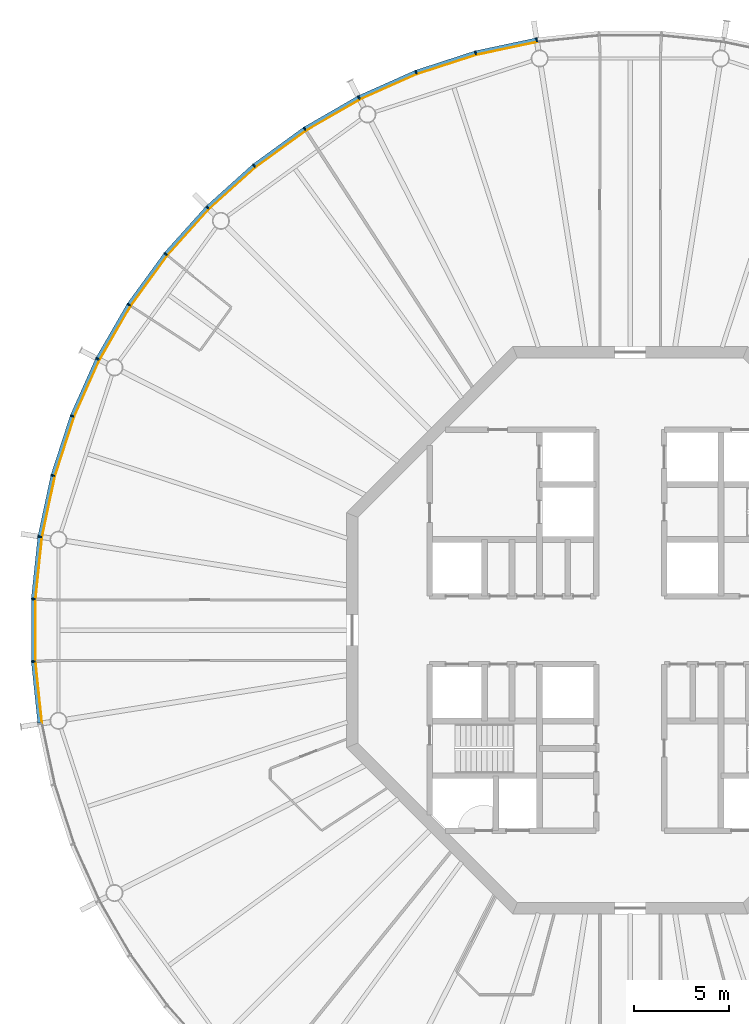
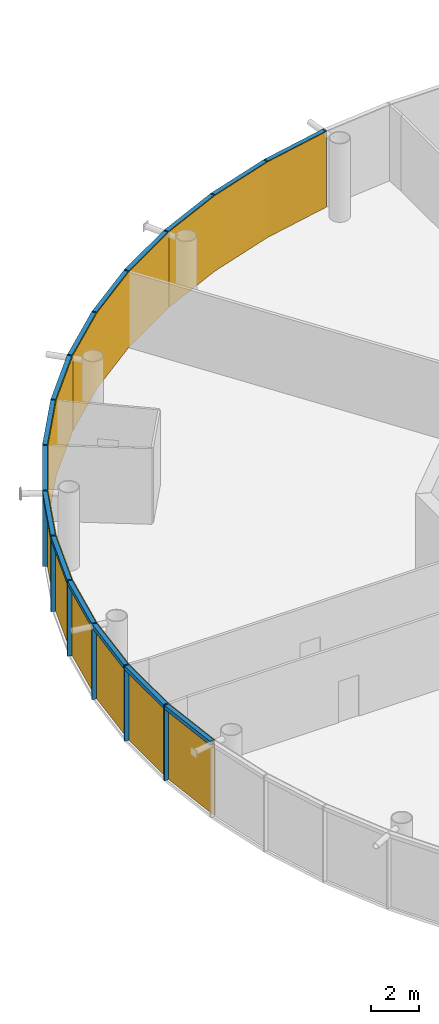
# One storey, part 16 of 19: 30 members, 5 curtain walls.
"""IFC4 building model written with IfcOpenShell, lengths in metres."""

from ifc_helpers import new_model, si_unit, direction, frame, origin, origin_2d, place, context, subcontext, project, spatial, polyline, rectangle, outline, extrude, material, layer, layer_set, material_profile, profile_set, type_object, element, aggregate, save


model = new_model("IFC4")

# Units and contexts
model_context = context("Model", 3, precision=1e-05, world=origin(), true_north=direction((0.0, 1.0)))
body_context = subcontext(model_context, "Body", "Model", "MODEL_VIEW")
ifc_project = project(units=[si_unit("LENGTHUNIT", "METRE"), si_unit("AREAUNIT", "SQUARE_METRE"), si_unit("VOLUMEUNIT", "CUBIC_METRE"), si_unit("PLANEANGLEUNIT", "RADIAN"), si_unit("MASSUNIT", "GRAM", prefix="KILO")], contexts=[model_context])

# Member
ifc_material_1 = material(Name="Anodised aluminium", Category="aluminium")
ifc_material_profile_1 = material_profile(ifc_material_1, rectangle(XDim=0.070068359375, YDim=0.205078125, at=origin_2d()), Name="Mullion 70 x 205 mm anodised aluminium")
ifc_profile_set_1 = profile_set([ifc_material_profile_1], Name="Anodised aluminium")
member_type_1 = type_object("IfcMemberType", Name="Mullion 70 x 205 mm anodised aluminium", PredefinedType="MULLION", material=ifc_profile_set_1)
site_placement = place(None, origin())
building_placement = place(site_placement, origin())
storey_placement = place(building_placement, frame((0.0, 0.0, 368.0)))
member_1_placement = place(storey_placement, frame((85.056396484375, 111.21337890625, 0.0), z_axis=(0.0, 0.0, 1.0), x_axis=(-0.987688340595, -0.15643446504, 0.0)))
member_1 = element("IfcMember", 1, at=member_1_placement, type_object=member_type_1, Name="MULLION L85-15", PredefinedType="MULLION", context=body_context, shape_type="SweptSolid", body=[
    extrude(rectangle(XDim=0.070068359375, YDim=0.205078125, at=origin_2d()), origin(), (0.0, 0.0, 1.0), 3.85009765625),
])

member_2_placement = place(storey_placement, frame((81.820556640625, 110.525634765625, 0.0), z_axis=(0.0, 0.0, 1.0), x_axis=(-0.965925826289, -0.258819045103, 0.0)))
member_2 = element("IfcMember", 2, at=member_2_placement, type_object=member_type_1, Name="MULLION L85-16", PredefinedType="MULLION", context=body_context, shape_type="SweptSolid", body=[
    extrude(rectangle(XDim=0.070068359375, YDim=0.205078125, at=origin_2d()), origin(), (0.0, 0.0, 1.0), 3.85009765625),
])

member_3_placement = place(storey_placement, frame((78.674560546875, 109.50341796875, 0.0), z_axis=(0.0, 0.0, 1.0), x_axis=(-0.933580426497, -0.358367949545, 0.0)))
member_3 = element("IfcMember", 3, at=member_3_placement, type_object=member_type_1, Name="MULLION L85-17", PredefinedType="MULLION", context=body_context, shape_type="SweptSolid", body=[
    extrude(rectangle(XDim=0.070068359375, YDim=0.205078125, at=origin_2d()), origin(), (0.0, 0.0, 1.0), 3.85009765625),
])

member_4_placement = place(storey_placement, frame((75.65283203125, 108.157958984375, 0.0), z_axis=(0.0, 0.0, 1.0), x_axis=(-0.891006524188, -0.45399049974, 0.0)))
member_4 = element("IfcMember", 4, at=member_4_placement, type_object=member_type_1, Name="MULLION L85-18", PredefinedType="MULLION", context=body_context, shape_type="SweptSolid", body=[
    extrude(rectangle(XDim=0.070068359375, YDim=0.205078125, at=origin_2d()), origin(), (0.0, 0.0, 1.0), 3.85009765625),
])

member_5_placement = place(storey_placement, frame((72.7880859375, 106.504150390625, 0.0), z_axis=(0.0, 0.0, 1.0), x_axis=(-0.838670567945, -0.544639035015, 0.0)))
member_5 = element("IfcMember", 5, at=member_5_placement, type_object=member_type_1, Name="MULLION L85-19", PredefinedType="MULLION", context=body_context, shape_type="SweptSolid", body=[
    extrude(rectangle(XDim=0.070068359375, YDim=0.205078125, at=origin_2d()), origin(), (0.0, 0.0, 1.0), 3.85009765625),
])

member_6_placement = place(storey_placement, frame((70.11181640625, 104.559814453125, 0.0), z_axis=(0.0, 0.0, 1.0), x_axis=(-0.777145961457, -0.62932039105, 0.0)))
member_6 = element("IfcMember", 6, at=member_6_placement, type_object=member_type_1, Name="MULLION L85-20", PredefinedType="MULLION", context=body_context, shape_type="SweptSolid", body=[
    extrude(rectangle(XDim=0.070068359375, YDim=0.205078125, at=origin_2d()), origin(), (0.0, 0.0, 1.0), 3.85009765625),
])

member_7_placement = place(storey_placement, frame((67.653564453125, 102.346435546875, 0.0), z_axis=(0.0, 0.0, 1.0), x_axis=(-0.707106781187, -0.707106781187, 0.0)))
member_7 = element("IfcMember", 7, at=member_7_placement, type_object=member_type_1, Name="MULLION L85-21", PredefinedType="MULLION", context=body_context, shape_type="SweptSolid", body=[
    extrude(rectangle(XDim=0.070068359375, YDim=0.205078125, at=origin_2d()), origin(), (0.0, 0.0, 1.0), 3.85009765625),
])

member_8_placement = place(storey_placement, frame((65.440185546875, 99.88818359375, 0.0), z_axis=(0.0, 0.0, 1.0), x_axis=(-0.62932039105, -0.777145961457, 0.0)))
member_8 = element("IfcMember", 8, at=member_8_placement, type_object=member_type_1, Name="MULLION L85-22", PredefinedType="MULLION", context=body_context, shape_type="SweptSolid", body=[
    extrude(rectangle(XDim=0.070068359375, YDim=0.205078125, at=origin_2d()), origin(), (0.0, 0.0, 1.0), 3.85009765625),
])

member_9_placement = place(storey_placement, frame((63.495849609375, 97.2119140625, 0.0), z_axis=(0.0, 0.0, 1.0), x_axis=(-0.544639035015, -0.838670567945, 0.0)))
member_9 = element("IfcMember", 9, at=member_9_placement, type_object=member_type_1, Name="MULLION L85-23", PredefinedType="MULLION", context=body_context, shape_type="SweptSolid", body=[
    extrude(rectangle(XDim=0.070068359375, YDim=0.205078125, at=origin_2d()), origin(), (0.0, 0.0, 1.0), 3.85009765625),
])

member_10_placement = place(storey_placement, frame((61.842041015625, 94.34716796875, 0.0), z_axis=(0.0, 0.0, 1.0), x_axis=(-0.45399049974, -0.891006524188, 0.0)))
member_10 = element("IfcMember", 10, at=member_10_placement, type_object=member_type_1, Name="MULLION L85-24", PredefinedType="MULLION", context=body_context, shape_type="SweptSolid", body=[
    extrude(rectangle(XDim=0.070068359375, YDim=0.205078125, at=origin_2d()), origin(), (0.0, 0.0, 1.0), 3.85009765625),
])

member_11_placement = place(storey_placement, frame((60.49658203125, 91.325439453125, 0.0), z_axis=(0.0, 0.0, 1.0), x_axis=(-0.358367949545, -0.933580426497, 0.0)))
member_11 = element("IfcMember", 11, at=member_11_placement, type_object=member_type_1, Name="MULLION L85-25", PredefinedType="MULLION", context=body_context, shape_type="SweptSolid", body=[
    extrude(rectangle(XDim=0.070068359375, YDim=0.205078125, at=origin_2d()), origin(), (0.0, 0.0, 1.0), 3.85009765625),
])

member_12_placement = place(storey_placement, frame((59.474365234375, 88.179443359375, 0.0), z_axis=(0.0, 0.0, 1.0), x_axis=(-0.258819045103, -0.965925826289, 0.0)))
member_12 = element("IfcMember", 12, at=member_12_placement, type_object=member_type_1, Name="MULLION L85-26", PredefinedType="MULLION", context=body_context, shape_type="SweptSolid", body=[
    extrude(rectangle(XDim=0.070068359375, YDim=0.205078125, at=origin_2d()), origin(), (0.0, 0.0, 1.0), 3.85009765625),
])

member_13_placement = place(storey_placement, frame((58.78662109375, 84.943603515625, 0.0), z_axis=(0.0, 0.0, 1.0), x_axis=(-0.15643446504, -0.987688340595, 0.0)))
member_13 = element("IfcMember", 13, at=member_13_placement, type_object=member_type_1, Name="MULLION L85-27", PredefinedType="MULLION", context=body_context, shape_type="SweptSolid", body=[
    extrude(rectangle(XDim=0.070068359375, YDim=0.205078125, at=origin_2d()), origin(), (0.0, 0.0, 1.0), 3.85009765625),
])

member_14_placement = place(storey_placement, frame((58.44091796875, 81.654052734375, 0.0), z_axis=(0.0, 0.0, 1.0), x_axis=(-0.052335956243, -0.998629534755, 0.0)))
member_14 = element("IfcMember", 14, at=member_14_placement, type_object=member_type_1, Name="MULLION L85-28", PredefinedType="MULLION", context=body_context, shape_type="SweptSolid", body=[
    extrude(rectangle(XDim=0.070068359375, YDim=0.205078125, at=origin_2d()), origin(), (0.0, 0.0, 1.0), 3.85009765625),
])

member_15_placement = place(storey_placement, frame((58.44091796875, 78.345947265625, 0.0), z_axis=(0.0, 0.0, 1.0), x_axis=(0.052335956243, -0.998629534755, 0.0)))
member_15 = element("IfcMember", 15, at=member_15_placement, type_object=member_type_1, Name="MULLION L85-29", PredefinedType="MULLION", context=body_context, shape_type="SweptSolid", body=[
    extrude(rectangle(XDim=0.070068359375, YDim=0.205078125, at=origin_2d()), origin(), (0.0, 0.0, 1.0), 3.85009765625),
])

ifc_material_2 = material(Name="Anodised aluminium", Category="aluminium")
ifc_material_profile_2 = material_profile(ifc_material_2, rectangle(XDim=0.205078125, YDim=0.195068359375, at=origin_2d()), Name="Transom 195 x 205 mm anodised aluminium")
ifc_profile_set_2 = profile_set([ifc_material_profile_2], Name="Anodised aluminium")
member_type_2 = type_object("IfcMemberType", Name="Transom 195 x 205 mm anodised aluminium", PredefinedType="USERDEFINED", material=ifc_profile_set_2)
member_16_placement = place(storey_placement, frame((85.016845703125, 111.205078125, 3.75244140625), z_axis=(-0.978153082647, -0.207885898771, 0.0), x_axis=(0.207885898771, -0.978153082647, 0.0)))
member_16 = element("IfcMember", 16, at=member_16_placement, type_object=member_type_2, Name="TRANSOM L85-15", ObjectType="TRANSOM", PredefinedType="USERDEFINED", context=body_context, shape_type="SweptSolid", body=[
    extrude(rectangle(XDim=0.205078125, YDim=0.195068359375, at=origin_2d()), origin(), (0.0, 0.0, 1.0), 3.227294921875),
])

member_17_placement = place(storey_placement, frame((81.7822265625, 110.513427734375, 3.75244140625), z_axis=(-0.951046855117, -0.309046726844, 0.0), x_axis=(0.309046726844, -0.951046855117, 0.0)))
member_17 = element("IfcMember", 17, at=member_17_placement, type_object=member_type_2, Name="TRANSOM L85-16", ObjectType="TRANSOM", PredefinedType="USERDEFINED", context=body_context, shape_type="SweptSolid", body=[
    extrude(rectangle(XDim=0.205078125, YDim=0.195068359375, at=origin_2d()), origin(), (0.0, 0.0, 1.0), 3.22705078125),
])

member_18_placement = place(storey_placement, frame((78.6376953125, 109.4873046875, 3.75244140625), z_axis=(-0.913521178731, -0.406791170024, 0.0), x_axis=(0.406791170024, -0.913521178731, 0.0)))
member_18 = element("IfcMember", 18, at=member_18_placement, type_object=member_type_2, Name="TRANSOM L85-17", ObjectType="TRANSOM", PredefinedType="USERDEFINED", context=body_context, shape_type="SweptSolid", body=[
    extrude(rectangle(XDim=0.205078125, YDim=0.195068359375, at=origin_2d()), origin(), (0.0, 0.0, 1.0), 3.22705078125),
])

member_19_placement = place(storey_placement, frame((75.61767578125, 108.137939453125, 3.75244140625), z_axis=(-0.866023062494, -0.500004055213, 0.0), x_axis=(0.500004055213, -0.866023062494, 0.0)))
member_19 = element("IfcMember", 19, at=member_19_placement, type_object=member_type_2, Name="TRANSOM L85-18", ObjectType="TRANSOM", PredefinedType="USERDEFINED", context=body_context, shape_type="SweptSolid", body=[
    extrude(rectangle(XDim=0.205078125, YDim=0.195068359375, at=origin_2d()), origin(), (0.0, 0.0, 1.0), 3.22705078125),
])

member_20_placement = place(storey_placement, frame((72.75537109375, 106.48046875, 3.75244140625), z_axis=(-0.809004252048, -0.587802790201, 0.0), x_axis=(0.587802790201, -0.809004252048, 0.0)))
member_20 = element("IfcMember", 20, at=member_20_placement, type_object=member_type_2, Name="TRANSOM L85-19", ObjectType="TRANSOM", PredefinedType="USERDEFINED", context=body_context, shape_type="SweptSolid", body=[
    extrude(rectangle(XDim=0.205078125, YDim=0.195068359375, at=origin_2d()), origin(), (0.0, 0.0, 1.0), 3.227294921875),
])

member_21_placement = place(storey_placement, frame((70.081787109375, 104.532958984375, 3.75244140625), z_axis=(-0.743132370743, -0.669144438484, 0.0), x_axis=(0.669144438484, -0.743132370743, 0.0)))
member_21 = element("IfcMember", 21, at=member_21_placement, type_object=member_type_2, Name="TRANSOM L85-20", ObjectType="TRANSOM", PredefinedType="USERDEFINED", context=body_context, shape_type="SweptSolid", body=[
    extrude(rectangle(XDim=0.205078125, YDim=0.195068359375, at=origin_2d()), origin(), (0.0, 0.0, 1.0), 3.22705078125),
])

member_22_placement = place(storey_placement, frame((67.62646484375, 102.31640625, 3.75244140625), z_axis=(-0.669144438484, -0.743132370743, 0.0), x_axis=(0.743132370743, -0.669144438484, 0.0)))
member_22 = element("IfcMember", 22, at=member_22_placement, type_object=member_type_2, Name="TRANSOM L85-21", ObjectType="TRANSOM", PredefinedType="USERDEFINED", context=body_context, shape_type="SweptSolid", body=[
    extrude(rectangle(XDim=0.205078125, YDim=0.195068359375, at=origin_2d()), origin(), (0.0, 0.0, 1.0), 3.22705078125),
])

member_23_placement = place(storey_placement, frame((65.41650390625, 99.85546875, 3.75244140625), z_axis=(-0.587802790201, -0.809004252048, 0.0), x_axis=(0.809004252048, -0.587802790201, 0.0)))
member_23 = element("IfcMember", 23, at=member_23_placement, type_object=member_type_2, Name="TRANSOM L85-22", ObjectType="TRANSOM", PredefinedType="USERDEFINED", context=body_context, shape_type="SweptSolid", body=[
    extrude(rectangle(XDim=0.205078125, YDim=0.195068359375, at=origin_2d()), origin(), (0.0, 0.0, 1.0), 3.227294921875),
])

member_24_placement = place(storey_placement, frame((63.4755859375, 97.177001953125, 3.75244140625), z_axis=(-0.500004055213, -0.866023062494, 0.0), x_axis=(0.866023062494, -0.500004055213, 0.0)))
member_24 = element("IfcMember", 24, at=member_24_placement, type_object=member_type_2, Name="TRANSOM L85-23", ObjectType="TRANSOM", PredefinedType="USERDEFINED", context=body_context, shape_type="SweptSolid", body=[
    extrude(rectangle(XDim=0.205078125, YDim=0.195068359375, at=origin_2d()), origin(), (0.0, 0.0, 1.0), 3.22705078125),
])

member_25_placement = place(storey_placement, frame((61.825439453125, 94.310302734375, 3.75244140625), z_axis=(-0.406791170024, -0.913521178731, 0.0), x_axis=(0.913521178731, -0.406791170024, 0.0)))
member_25 = element("IfcMember", 25, at=member_25_placement, type_object=member_type_2, Name="TRANSOM L85-24", ObjectType="TRANSOM", PredefinedType="USERDEFINED", context=body_context, shape_type="SweptSolid", body=[
    extrude(rectangle(XDim=0.205078125, YDim=0.195068359375, at=origin_2d()), origin(), (0.0, 0.0, 1.0), 3.22705078125),
])

member_26_placement = place(storey_placement, frame((60.48388671875, 91.286865234375, 3.75244140625), z_axis=(-0.309046726844, -0.951046855117, 0.0), x_axis=(0.951046855117, -0.309046726844, 0.0)))
member_26 = element("IfcMember", 26, at=member_26_placement, type_object=member_type_2, Name="TRANSOM L85-25", ObjectType="TRANSOM", PredefinedType="USERDEFINED", context=body_context, shape_type="SweptSolid", body=[
    extrude(rectangle(XDim=0.205078125, YDim=0.195068359375, at=origin_2d()), origin(), (0.0, 0.0, 1.0), 3.22705078125),
])

member_27_placement = place(storey_placement, frame((59.4658203125, 88.139892578125, 3.75244140625), z_axis=(-0.207885898771, -0.978153082647, 0.0), x_axis=(0.978153082647, -0.207885898771, 0.0)))
member_27 = element("IfcMember", 27, at=member_27_placement, type_object=member_type_2, Name="TRANSOM L85-26", ObjectType="TRANSOM", PredefinedType="USERDEFINED", context=body_context, shape_type="SweptSolid", body=[
    extrude(rectangle(XDim=0.205078125, YDim=0.195068359375, at=origin_2d()), origin(), (0.0, 0.0, 1.0), 3.227294921875),
])

member_28_placement = place(storey_placement, frame((58.7822265625, 84.903564453125, 3.75244140625), z_axis=(-0.104550890115, -0.994519537956, 0.0), x_axis=(0.994519537956, -0.104550890115, 0.0)))
member_28 = element("IfcMember", 28, at=member_28_placement, type_object=member_type_2, Name="TRANSOM L85-27", ObjectType="TRANSOM", PredefinedType="USERDEFINED", context=body_context, shape_type="SweptSolid", body=[
    extrude(rectangle(XDim=0.205078125, YDim=0.195068359375, at=origin_2d()), origin(), (0.0, 0.0, 1.0), 3.22705078125),
])

member_29_placement = place(storey_placement, frame((58.440673828125, 81.613525390625, 3.75244140625), z_axis=(0.0, -1.0, 0.0), x_axis=(1.0, 0.0, 0.0)))
member_29 = element("IfcMember", 29, at=member_29_placement, type_object=member_type_2, Name="TRANSOM L85-28", ObjectType="TRANSOM", PredefinedType="USERDEFINED", context=body_context, shape_type="SweptSolid", body=[
    extrude(rectangle(XDim=0.205078125, YDim=0.195068359375, at=origin_2d()), origin(), (0.0, 0.0, 1.0), 3.22705078125),
])

member_30_placement = place(storey_placement, frame((58.44482421875, 78.305908203125, 3.75244140625), z_axis=(0.104550890115, -0.994519537956, 0.0), x_axis=(0.994519537956, 0.104550890115, 0.0)))
member_30 = element("IfcMember", 30, at=member_30_placement, type_object=member_type_2, Name="TRANSOM L85-29", ObjectType="TRANSOM", PredefinedType="USERDEFINED", context=body_context, shape_type="SweptSolid", body=[
    extrude(rectangle(XDim=0.205078125, YDim=0.195068359375, at=origin_2d()), origin(), (0.0, 0.0, 1.0), 3.22705078125),
])

# Site, building, storey
site = spatial("IfcSite", under=ifc_project, at=site_placement, CompositionType="ELEMENT")
building = spatial("IfcBuilding", under=site, at=building_placement, Name="Entoto Ring Tower", CompositionType="ELEMENT")
storey = spatial("IfcBuildingStorey", under=building, at=storey_placement, Name="L85", CompositionType="ELEMENT", Elevation=368.0)

# Curtain wall
ifc_material_3 = material(Name="Clear low-iron glass", Category="glass")
ifc_layer = layer(ifc_material_3, 0.035888671875)
ifc_layer_set = layer_set([ifc_layer], Name="Clear low-iron glass")
curtain_wall_type = type_object("IfcCurtainWallType", Name="Curtain wall system CW6 glazing 36 mm", PredefinedType="NOTDEFINED", material=ifc_layer_set)
curtain_wall_1_placement = place(storey_placement, origin())
curtain_wall_1 = element("IfcCurtainWall", 31, at=curtain_wall_1_placement, inside=storey, type_object=curtain_wall_type, Name="CW6 L85-06", PredefinedType="NOTDEFINED", context=body_context, shape_type="SweptSolid", body=[
    extrude(outline(polyline([(85.072265625, 111.1123046875), (81.84716796875, 110.4267578125), (78.71142578125, 109.40771484375), (75.69921875, 108.066650390625), (75.715576171875, 108.03466796875), (78.724365234375, 109.3740234375), (81.8564453125, 110.391845703125), (85.077880859375, 111.07666015625), (85.072265625, 111.1123046875)])), origin(), (0.0, 0.0, 1.0), 3.85009765625),
])

aggregate(curtain_wall_1, [member_1, member_2, member_3, member_16, member_17, member_18])

curtain_wall_2_placement = place(storey_placement, origin())
curtain_wall_2 = element("IfcCurtainWall", 32, at=curtain_wall_2_placement, inside=storey, type_object=curtain_wall_type, Name="CW6 L85-07", PredefinedType="NOTDEFINED", context=body_context, shape_type="SweptSolid", body=[
    extrude(outline(polyline([(75.69921875, 108.066650390625), (72.84375, 106.418212890625), (70.176513671875, 104.47998046875), (67.72607421875, 102.27392578125), (67.751708984375, 102.248291015625), (70.198974609375, 104.4521484375), (72.863525390625, 106.387939453125), (75.715576171875, 108.03466796875), (75.69921875, 108.066650390625)])), origin(), (0.0, 0.0, 1.0), 3.85009765625),
])

aggregate(curtain_wall_2, [member_4, member_5, member_6, member_19, member_20, member_21])

curtain_wall_3_placement = place(storey_placement, origin())
curtain_wall_3 = element("IfcCurtainWall", 33, at=curtain_wall_3_placement, inside=storey, type_object=curtain_wall_type, Name="CW6 L85-08", PredefinedType="NOTDEFINED", context=body_context, shape_type="SweptSolid", body=[
    extrude(outline(polyline([(67.72607421875, 102.27392578125), (65.52001953125, 99.823486328125), (63.581787109375, 97.15625), (61.933349609375, 94.30078125), (61.96533203125, 94.284423828125), (63.612060546875, 97.136474609375), (65.5478515625, 99.801025390625), (67.751708984375, 102.248291015625), (67.72607421875, 102.27392578125)])), origin(), (0.0, 0.0, 1.0), 3.85009765625),
])

aggregate(curtain_wall_3, [member_7, member_8, member_9, member_22, member_23, member_24])

curtain_wall_4_placement = place(storey_placement, origin())
curtain_wall_4 = element("IfcCurtainWall", 34, at=curtain_wall_4_placement, inside=storey, type_object=curtain_wall_type, Name="CW6 L85-09", PredefinedType="NOTDEFINED", context=body_context, shape_type="SweptSolid", body=[
    extrude(outline(polyline([(61.933349609375, 94.30078125), (60.59228515625, 91.28857421875), (59.5732421875, 88.15283203125), (58.8876953125, 84.927734375), (58.92333984375, 84.922119140625), (59.608154296875, 88.1435546875), (60.6259765625, 91.275634765625), (61.96533203125, 94.284423828125), (61.933349609375, 94.30078125)])), origin(), (0.0, 0.0, 1.0), 3.85009765625),
])

aggregate(curtain_wall_4, [member_10, member_11, member_12, member_25, member_26, member_27])

curtain_wall_5_placement = place(storey_placement, origin())
curtain_wall_5 = element("IfcCurtainWall", 35, at=curtain_wall_5_placement, inside=storey, type_object=curtain_wall_type, Name="CW6 L85-10", PredefinedType="NOTDEFINED", context=body_context, shape_type="SweptSolid", body=[
    extrude(outline(polyline([(58.8876953125, 84.927734375), (58.543212890625, 81.648681640625), (58.543212890625, 78.351318359375), (58.8876953125, 75.072265625), (58.92333984375, 75.077880859375), (58.5791015625, 78.353271484375), (58.5791015625, 81.646728515625), (58.92333984375, 84.922119140625), (58.8876953125, 84.927734375)])), origin(), (0.0, 0.0, 1.0), 3.85009765625),
])

aggregate(curtain_wall_5, [member_13, member_14, member_15, member_28, member_29, member_30])

save(model, "model.ifc")
